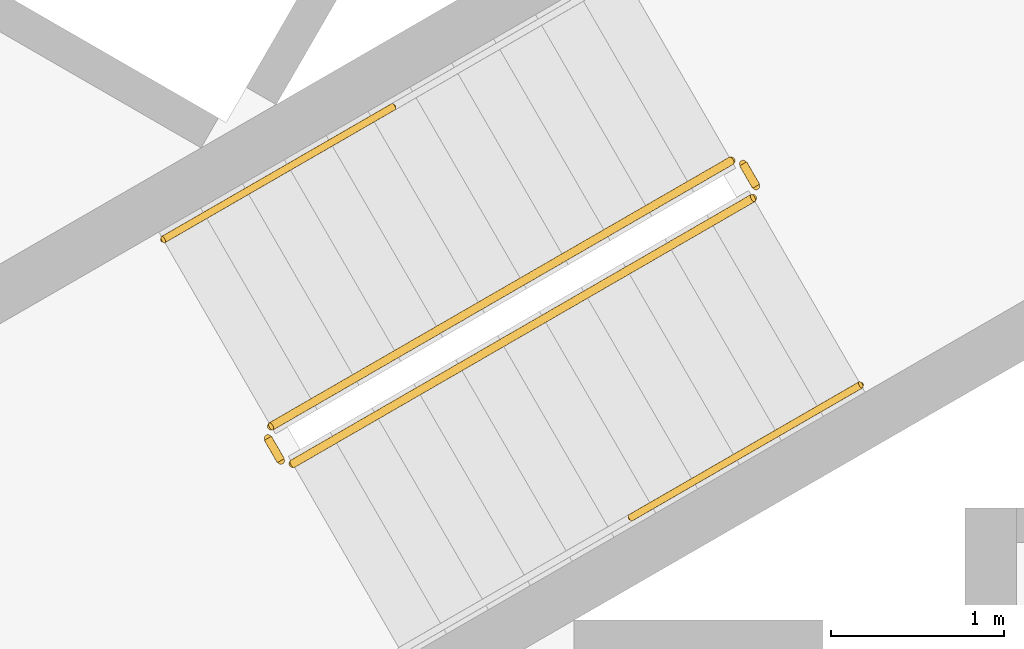
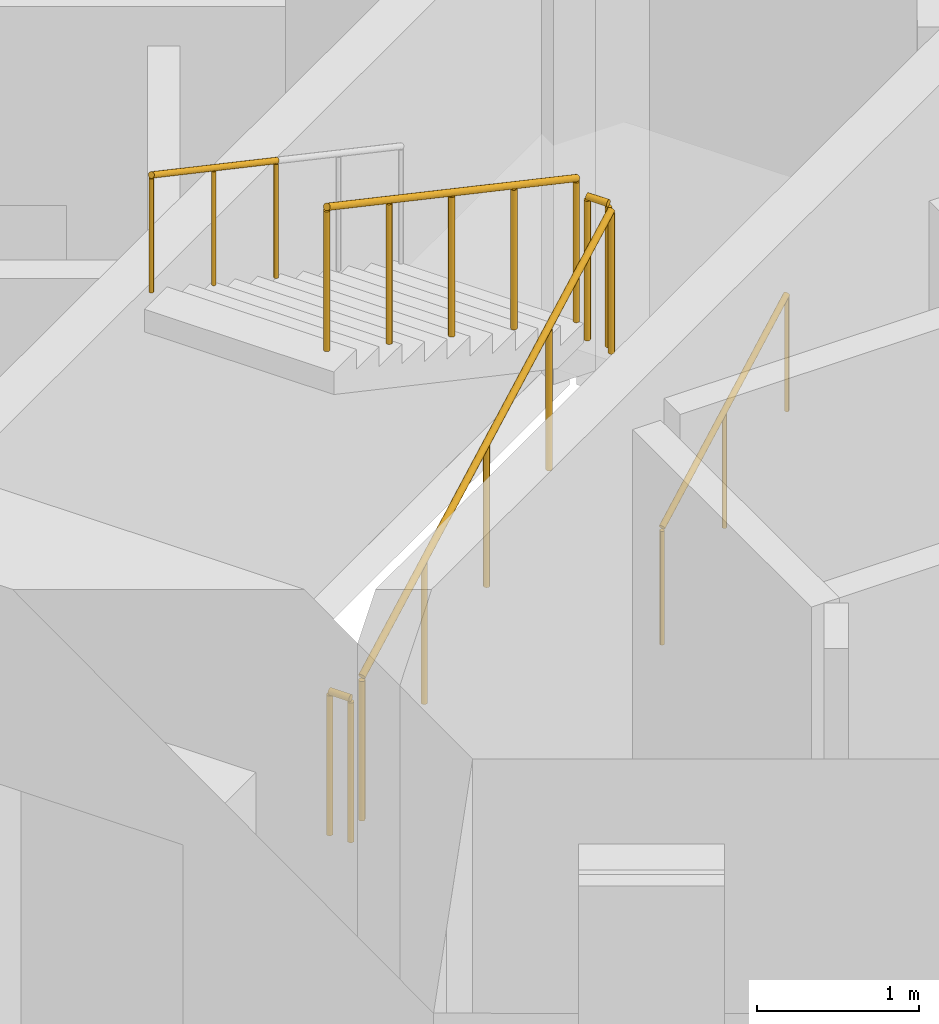
# One storey, part 12 of 17: 6 railings.
"""IFC4 building model written with IfcOpenShell, lengths in metres."""

from ifc_helpers import new_model, si_unit, direction, frame, origin, origin_2d, place, context, subcontext, project, spatial, circle, extrude, material, type_object, element, save


model = new_model("IFC4")

# Units and contexts
model_context = context("Model", 3, precision=1e-05, world=origin(), true_north=direction((0.0, 1.0)))
body_context = subcontext(model_context, "Body", "Model", "MODEL_VIEW")
ifc_project = project(units=[si_unit("LENGTHUNIT", "METRE"), si_unit("AREAUNIT", "SQUARE_METRE"), si_unit("VOLUMEUNIT", "CUBIC_METRE"), si_unit("PLANEANGLEUNIT", "RADIAN"), si_unit("MASSUNIT", "GRAM", prefix="KILO")], contexts=[model_context])

# Site, building, storey
site_placement = place(None, origin())
site = spatial("IfcSite", under=ifc_project, at=site_placement, CompositionType="ELEMENT")
building_placement = place(site_placement, origin())
building = spatial("IfcBuilding", under=site, at=building_placement, Name="Trine Commons Tower", CompositionType="ELEMENT")
storey_placement = place(building_placement, frame((0.0, 0.0, 182.699951171875)))
storey = spatial("IfcBuildingStorey", under=building, at=storey_placement, Name="L47", CompositionType="ELEMENT", Elevation=182.699951171875)

# Railings
ifc_material_1 = material(Name="Stainless steel balustrade", Category="steel")
railing_type_1 = type_object("IfcRailingType", Name="Stair guard, steel balustrade 1100", PredefinedType="GUARDRAIL", material=ifc_material_1)
railing_1_placement = place(storey_placement, frame((74.80517578125, 59.3564453125, 0.150146484375)))
element("IfcRailing", 1, at=railing_1_placement, inside=storey, type_object=railing_type_1, Name="L47 ST2B stair guard 1", PredefinedType="GUARDRAIL", context=body_context, shape_type="SweptSolid", body=[
    extrude(circle(Radius=0.02392578125, at=origin_2d()), frame((0.0, 0.0, 1.076171875), z_axis=(0.76340495495, 0.440743040072, 0.472184759798), x_axis=(-0.499992328818, 0.866029832698, 0.0)), (0.0, 0.0, 1.0), 3.494140625),
    extrude(circle(Radius=0.02099609375, at=origin_2d()), origin(), (0.0, 0.0, 1.0), 1.052001953125),
    extrude(circle(Radius=0.02099609375, at=origin_2d()), frame((0.6669921875, 0.385009765625, 0.41259765625)), (0.0, 0.0, 1.0), 1.052001953125),
    extrude(circle(Radius=0.02099609375, at=origin_2d()), frame((1.333740234375, 0.77001953125, 0.824951171875)), (0.0, 0.0, 1.0), 1.052001953125),
    extrude(circle(Radius=0.02099609375, at=origin_2d()), frame((2.00048828125, 1.155029296875, 1.2373046875)), (0.0, 0.0, 1.0), 1.052001953125),
    extrude(circle(Radius=0.02099609375, at=origin_2d()), frame((2.66748046875, 1.5400390625, 1.64990234375)), (0.0, 0.0, 1.0), 1.052001953125),
])
railing_2_placement = place(storey_placement, frame((77.490966796875, 60.96484375, 1.800048828125)))
element("IfcRailing", 2, at=railing_2_placement, inside=storey, type_object=railing_type_1, Name="L47 ST2B stair guard 2", PredefinedType="GUARDRAIL", context=body_context, shape_type="SweptSolid", body=[
    extrude(circle(Radius=0.02392578125, at=origin_2d()), frame((0.0, 0.0, 1.076171875), z_axis=(-0.501036270542, 0.865426285481, 0.0), x_axis=(-0.865426285481, -0.501036270542, 0.0)), (0.0, 0.0, 1.0), 0.150146484375),
    extrude(circle(Radius=0.02099609375, at=origin_2d()), origin(), (0.0, 0.0, 1.0), 1.052001953125),
    extrude(circle(Radius=0.02099609375, at=origin_2d()), frame((-0.0751953125, 0.1298828125, 0.0)), (0.0, 0.0, 1.0), 1.052001953125),
])
railing_3_placement = place(storey_placement, frame((77.34765625, 61.113037109375, 1.949951171875)))
element("IfcRailing", 3, at=railing_3_placement, inside=storey, type_object=railing_type_1, Name="L47 ST2B stair guard 3", PredefinedType="GUARDRAIL", context=body_context, shape_type="SweptSolid", body=[
    extrude(circle(Radius=0.02392578125, at=origin_2d()), frame((0.0, 0.0, 1.076171875), z_axis=(-0.763379768245, -0.440728498818, 0.472239049384), x_axis=(0.499992328818, -0.866029832698, 0.0)), (0.0, 0.0, 1.0), 3.494384765625),
    extrude(circle(Radius=0.02099609375, at=origin_2d()), origin(), (0.0, 0.0, 1.0), 1.052001953125),
    extrude(circle(Radius=0.02099609375, at=origin_2d()), frame((-0.6669921875, -0.385009765625, 0.41259765625)), (0.0, 0.0, 1.0), 1.052001953125),
    extrude(circle(Radius=0.02099609375, at=origin_2d()), frame((-1.333740234375, -0.77001953125, 0.8251953125)), (0.0, 0.0, 1.0), 1.052001953125),
    extrude(circle(Radius=0.02099609375, at=origin_2d()), frame((-2.00048828125, -1.155029296875, 1.237548828125)), (0.0, 0.0, 1.0), 1.052001953125),
    extrude(circle(Radius=0.02099609375, at=origin_2d()), frame((-2.66748046875, -1.5400390625, 1.650146484375)), (0.0, 0.0, 1.0), 1.052001953125),
])
railing_4_placement = place(storey_placement, frame((74.73681640625, 59.374755859375, 0.0)))
element("IfcRailing", 4, at=railing_4_placement, inside=storey, type_object=railing_type_1, Name="L47 ST2B stair guard 4", PredefinedType="GUARDRAIL", context=body_context, shape_type="SweptSolid", body=[
    extrude(circle(Radius=0.02392578125, at=origin_2d()), frame((0.0, 0.0, 1.076171875), z_axis=(-0.499816412211, 0.866131372301, 0.0), x_axis=(-0.866131372301, -0.499816412211, 0.0)), (0.0, 0.0, 1.0), 0.14990234375),
    extrude(circle(Radius=0.02099609375, at=origin_2d()), origin(), (0.0, 0.0, 1.0), 1.052001953125),
    extrude(circle(Radius=0.02099609375, at=origin_2d()), frame((-0.074951171875, 0.1298828125, 0.0)), (0.0, 0.0, 1.0), 1.052001953125),
])
ifc_material_2 = material(Name="Stainless steel handrail", Category="steel")
railing_type_2 = type_object("IfcRailingType", Name="Stair handrail, steel 900", PredefinedType="HANDRAIL", material=ifc_material_2)
railing_5_placement = place(storey_placement, frame((76.763916015625, 59.0439453125, 0.97509765625)))
element("IfcRailing", 5, at=railing_5_placement, inside=storey, type_object=railing_type_2, Name="L47 ST2B stair handrail 2", PredefinedType="HANDRAIL", context=body_context, shape_type="SweptSolid", body=[
    extrude(circle(Radius=0.02099609375, at=origin_2d()), frame((0.0, 0.0, 0.87890625), z_axis=(0.76340495495, 0.440743040072, 0.472184759798), x_axis=(-0.499992328818, 0.866029832698, 0.0)), (0.0, 0.0, 1.0), 1.7470703125),
    extrude(circle(Radius=0.01513671875, at=origin_2d()), origin(), (0.0, 0.0, 1.0), 0.85791015625),
    extrude(circle(Radius=0.01513671875, at=origin_2d()), frame((0.6669921875, 0.385009765625, 0.41259765625)), (0.0, 0.0, 1.0), 0.85791015625),
    extrude(circle(Radius=0.01513671875, at=origin_2d()), frame((1.333740234375, 0.77001953125, 0.824951171875)), (0.0, 0.0, 1.0), 0.85791015625),
])
railing_6_placement = place(storey_placement, frame((75.388916015625, 61.425537109375, 2.775146484375)))
element("IfcRailing", 6, at=railing_6_placement, inside=storey, type_object=railing_type_2, Name="L47 ST2B stair handrail 4", PredefinedType="HANDRAIL", context=body_context, shape_type="SweptSolid", body=[
    extrude(circle(Radius=0.02099609375, at=origin_2d()), frame((0.0, 0.0, 0.87890625), z_axis=(-0.76340495495, -0.440743040072, 0.472184759798), x_axis=(0.499992328818, -0.866029832698, 0.0)), (0.0, 0.0, 1.0), 1.7470703125),
    extrude(circle(Radius=0.01513671875, at=origin_2d()), origin(), (0.0, 0.0, 1.0), 0.85791015625),
    extrude(circle(Radius=0.01513671875, at=origin_2d()), frame((-0.6669921875, -0.385009765625, 0.41259765625)), (0.0, 0.0, 1.0), 0.85791015625),
    extrude(circle(Radius=0.01513671875, at=origin_2d()), frame((-1.333740234375, -0.77001953125, 0.824951171875)), (0.0, 0.0, 1.0), 0.85791015625),
])

save(model, "model.ifc")
